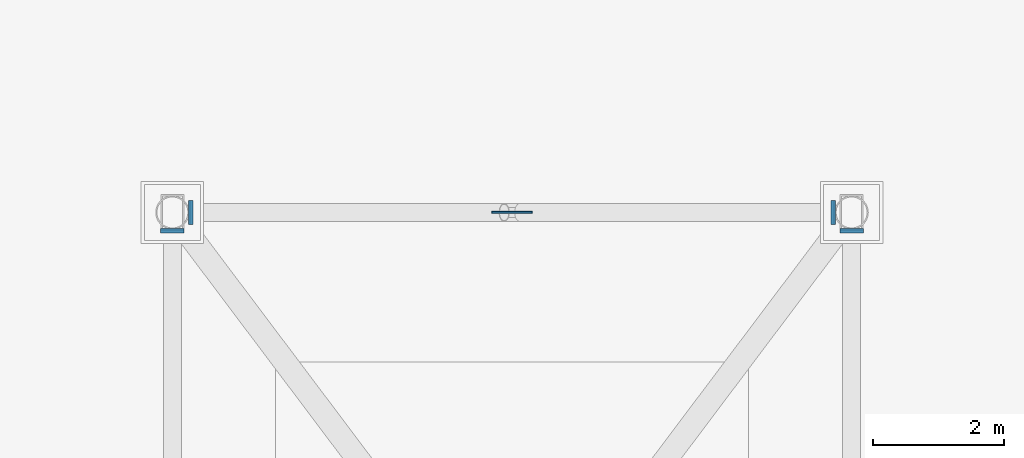
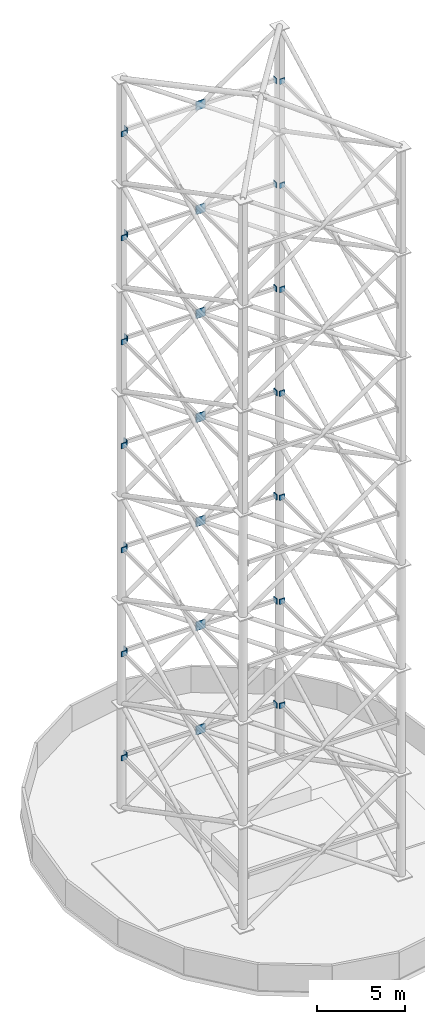
# One storey, part 5 of 7: 35 plates.
"""IFC4 building model written with IfcOpenShell, lengths in metres."""

from ifc_helpers import new_model, si_unit, direction, frame, origin, origin_2d, place, context, subcontext, project, spatial, rectangle, extrude, source, transform, mapped, material, layer, layer_set, type_object, element, save


model = new_model("IFC4")

# Units and contexts
model_context = context("Model", 3, precision=1e-05, world=origin(), true_north=direction((0.0, 1.0)))
body_context = subcontext(model_context, "Body", "Model", "MODEL_VIEW")
ifc_project = project(units=[si_unit("LENGTHUNIT", "METRE"), si_unit("AREAUNIT", "SQUARE_METRE"), si_unit("VOLUMEUNIT", "CUBIC_METRE"), si_unit("PLANEANGLEUNIT", "RADIAN"), si_unit("MASSUNIT", "GRAM", prefix="KILO")], contexts=[model_context])

# Site, building, storey
site_placement = place(None, origin())
site = spatial("IfcSite", under=ifc_project, at=site_placement, CompositionType="ELEMENT")
building_placement = place(site_placement, origin())
building = spatial("IfcBuilding", under=site, at=building_placement, Name="Cununo Teusaquillo Station Towers", CompositionType="ELEMENT")
storey_placement = place(building_placement, frame((0.0, 0.0, 244.830078125)))
storey = spatial("IfcBuildingStorey", under=building, at=storey_placement, Name="Roof Drum", CompositionType="ELEMENT", Elevation=244.830078125)

# Plates
ifc_material_1 = material(Name="Steel ASTM A572 Grade 50", Category="steel")
ifc_layer_1 = layer(ifc_material_1, 0.0400390625)
ifc_layer_set_1 = layer_set([ifc_layer_1], Name="Steel ASTM A572 Grade 50")
plate_type_1 = type_object("IfcPlateType", Name="PLT-NODE-CRN1", PredefinedType="USERDEFINED", material=ifc_layer_set_1)
shared_shape_1 = source(origin(), body_context, "Body", "SweptSolid", [
    extrude(rectangle(XDim=0.044921875, YDim=0.360107421875, at=origin_2d()), origin(), (0.0, 0.0, 1.0), 0.360107421875),
])
for number, where, z_axis, x_axis, name in (
    (1, (21.675048828125, 31.111083984375, 3.419921875), (0.0, 0.0, 1.0), (0.0, 1.0, 0.0), "Broadcast Mast Collar Sealed End Plate 1.2B"),
    (2, (21.406005859375, 31.3798828125, 3.419921875), (0.0, 0.0, 1.0), (-1.0, 0.0, 0.0), "Broadcast Mast Collar Sealed End Plate 1.3A"),
    (3, (11.593994140625, 31.3798828125, 3.419921875), (0.0, 0.0, 1.0), (-1.0, 0.0, 0.0), "Broadcast Mast Collar Sealed End Plate 1.3B"),
    (4, (11.324951171875, 31.111083984375, 3.419921875), (0.0, 0.0, 1.0), (0.0, -1.0, 0.0), "Broadcast Mast Collar Sealed End Plate 1.4A"),
    (5, (21.675048828125, 31.111083984375, 10.61962890625), (0.0, 0.0, 1.0), (0.0, 1.0, 0.0), "Broadcast Mast Collar Sealed End Plate 2.2B"),
    (6, (21.406005859375, 31.3798828125, 10.61962890625), (0.0, 0.0, 1.0), (-1.0, 0.0, 0.0), "Broadcast Mast Collar Sealed End Plate 2.3A"),
    (7, (11.593994140625, 31.3798828125, 10.61962890625), (0.0, 0.0, 1.0), (-1.0, 0.0, 0.0), "Broadcast Mast Collar Sealed End Plate 2.3B"),
    (8, (11.324951171875, 31.111083984375, 10.61962890625), (0.0, 0.0, 1.0), (0.0, -1.0, 0.0), "Broadcast Mast Collar Sealed End Plate 2.4A"),
    (9, (21.675048828125, 31.111083984375, 17.81982421875), (0.0, 0.0, 1.0), (0.0, 1.0, 0.0), "Broadcast Mast Collar Sealed End Plate 3.2B"),
    (10, (21.406005859375, 31.3798828125, 17.81982421875), (0.0, 0.0, 1.0), (-1.0, 0.0, 0.0), "Broadcast Mast Collar Sealed End Plate 3.3A"),
    (11, (11.593994140625, 31.3798828125, 17.81982421875), (0.0, 0.0, 1.0), (-1.0, 0.0, 0.0), "Broadcast Mast Collar Sealed End Plate 3.3B"),
    (12, (11.324951171875, 31.111083984375, 17.81982421875), (0.0, 0.0, 1.0), (0.0, -1.0, 0.0), "Broadcast Mast Collar Sealed End Plate 3.4A"),
    (13, (21.675048828125, 31.111083984375, 25.02001953125), (0.0, 0.0, 1.0), (0.0, 1.0, 0.0), "Broadcast Mast Collar Sealed End Plate 4.2B"),
    (14, (21.406005859375, 31.3798828125, 25.02001953125), (0.0, 0.0, 1.0), (-1.0, 0.0, 0.0), "Broadcast Mast Collar Sealed End Plate 4.3A"),
    (15, (11.593994140625, 31.3798828125, 25.02001953125), (0.0, 0.0, 1.0), (-1.0, 0.0, 0.0), "Broadcast Mast Collar Sealed End Plate 4.3B"),
    (16, (11.324951171875, 31.111083984375, 25.02001953125), (0.0, 0.0, 1.0), (0.0, -1.0, 0.0), "Broadcast Mast Collar Sealed End Plate 4.4A"),
    (17, (21.675048828125, 31.090087890625, 32.2197265625), (0.0, 0.0, 1.0), (0.0, 1.0, 0.0), "Broadcast Mast Collar Sealed End Plate 5.2B"),
    (18, (21.385009765625, 31.3798828125, 32.2197265625), (0.0, 0.0, 1.0), (-1.0, 0.0, 0.0), "Broadcast Mast Collar Sealed End Plate 5.3A"),
    (19, (11.614990234375, 31.3798828125, 32.2197265625), (0.0, 0.0, 1.0), (-1.0, 0.0, 0.0), "Broadcast Mast Collar Sealed End Plate 5.3B"),
    (20, (11.324951171875, 31.090087890625, 32.2197265625), (0.0, 0.0, 1.0), (0.0, -1.0, 0.0), "Broadcast Mast Collar Sealed End Plate 5.4A"),
    (21, (21.675048828125, 31.090087890625, 39.419921875), (0.0, 0.0, 1.0), (0.0, 1.0, 0.0), "Broadcast Mast Collar Sealed End Plate 6.2B"),
    (22, (21.385009765625, 31.3798828125, 39.419921875), (0.0, 0.0, 1.0), (-1.0, 0.0, 0.0), "Broadcast Mast Collar Sealed End Plate 6.3A"),
    (23, (11.614990234375, 31.3798828125, 39.419921875), (0.0, 0.0, 1.0), (-1.0, 0.0, 0.0), "Broadcast Mast Collar Sealed End Plate 6.3B"),
    (24, (11.324951171875, 31.090087890625, 39.419921875), (0.0, 0.0, 1.0), (0.0, -1.0, 0.0), "Broadcast Mast Collar Sealed End Plate 6.4A"),
    (25, (21.675048828125, 31.090087890625, 46.61962890625), (0.0, 0.0, 1.0), (0.0, 1.0, 0.0), "Broadcast Mast Collar Sealed End Plate 7.2B"),
    (26, (21.385009765625, 31.3798828125, 46.61962890625), (0.0, 0.0, 1.0), (-1.0, 0.0, 0.0), "Broadcast Mast Collar Sealed End Plate 7.3A"),
    (27, (11.614990234375, 31.3798828125, 46.61962890625), (0.0, 0.0, 1.0), (-1.0, 0.0, 0.0), "Broadcast Mast Collar Sealed End Plate 7.3B"),
    (28, (11.324951171875, 31.090087890625, 46.61962890625), (0.0, 0.0, 1.0), (0.0, -1.0, 0.0), "Broadcast Mast Collar Sealed End Plate 7.4A"),
):
    element("IfcPlate", number, at=place(storey_placement, frame(where, z_axis=z_axis, x_axis=x_axis)), inside=storey, type_object=plate_type_1, Name=name, ObjectType="GUSSET PLATE", PredefinedType="USERDEFINED", context=body_context, shape_type="MappedRepresentation", body=[
        mapped(shared_shape_1, transform((0.0, 0.0, 0.0), x_axis=(1.0, 0.0, 0.0), y_axis=(0.0, 1.0, 0.0), z_axis=(0.0, 0.0, 1.0), scale=1.0)),
    ])
ifc_material_2 = material(Name="Steel ASTM A572 Grade 50", Category="steel")
ifc_layer_2 = layer(ifc_material_2, 0.030029296875)
ifc_layer_set_2 = layer_set([ifc_layer_2], Name="Steel ASTM A572 Grade 50")
plate_type_2 = type_object("IfcPlateType", Name="PLT-NODE-XBR", PredefinedType="USERDEFINED", material=ifc_layer_set_2)
shared_shape_2 = source(origin(), body_context, "Body", "SweptSolid", [
    extrude(rectangle(XDim=0.6201171875, YDim=0.030029296875, at=origin_2d()), origin(), (0.0, 0.0, 1.0), 0.6201171875),
])
for number, where, z_axis, x_axis, name in (
    (29, (16.5, 31.3798828125, 3.289794921875), (0.0, 0.0, 1.0), (-1.0, 0.0, 0.0), "Broadcast Mast X-Crossing Gusset XBP1 1.3"),
    (30, (16.5, 31.3798828125, 10.48974609375), (0.0, 0.0, 1.0), (-1.0, 0.0, 0.0), "Broadcast Mast X-Crossing Gusset XBP1 2.3"),
    (31, (16.5, 31.3798828125, 17.68994140625), (0.0, 0.0, 1.0), (-1.0, 0.0, 0.0), "Broadcast Mast X-Crossing Gusset XBP1 3.3"),
    (32, (16.5, 31.3798828125, 24.889892578125), (0.0, 0.0, 1.0), (-1.0, 0.0, 0.0), "Broadcast Mast X-Crossing Gusset XBP1 4.3"),
    (33, (16.5, 31.3798828125, 32.08984375), (0.0, 0.0, 1.0), (-1.0, 0.0, 0.0), "Broadcast Mast X-Crossing Gusset XBP1 5.3"),
    (34, (16.5, 31.3798828125, 39.289794921875), (0.0, 0.0, 1.0), (-1.0, 0.0, 0.0), "Broadcast Mast X-Crossing Gusset XBP1 6.3"),
    (35, (16.5, 31.3798828125, 46.48974609375), (0.0, 0.0, 1.0), (-1.0, 0.0, 0.0), "Broadcast Mast X-Crossing Gusset XBP1 7.3"),
):
    element("IfcPlate", number, at=place(storey_placement, frame(where, z_axis=z_axis, x_axis=x_axis)), inside=storey, type_object=plate_type_2, Name=name, ObjectType="GUSSET PLATE", PredefinedType="USERDEFINED", context=body_context, shape_type="MappedRepresentation", body=[
        mapped(shared_shape_2, transform((0.0, 0.0, 0.0), x_axis=(1.0, 0.0, 0.0), y_axis=(0.0, 1.0, 0.0), z_axis=(0.0, 0.0, 1.0), scale=1.0)),
    ])

save(model, "model.ifc")
